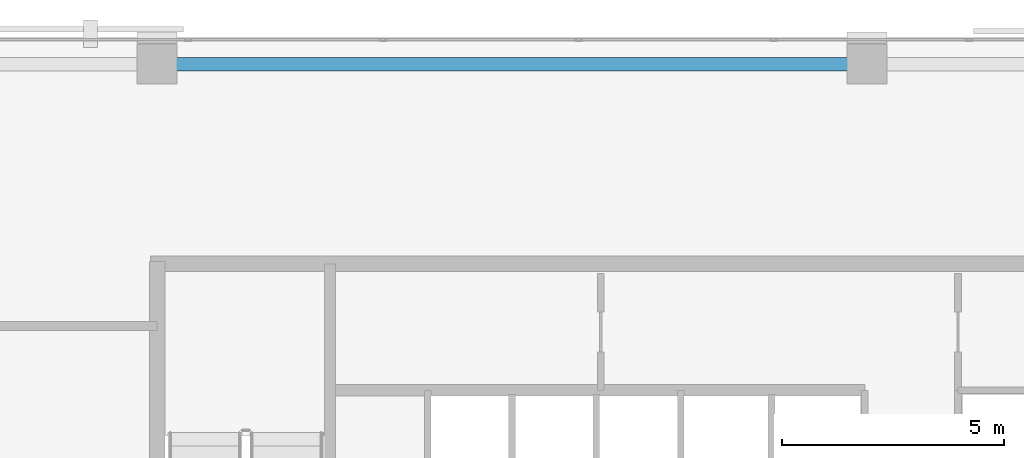
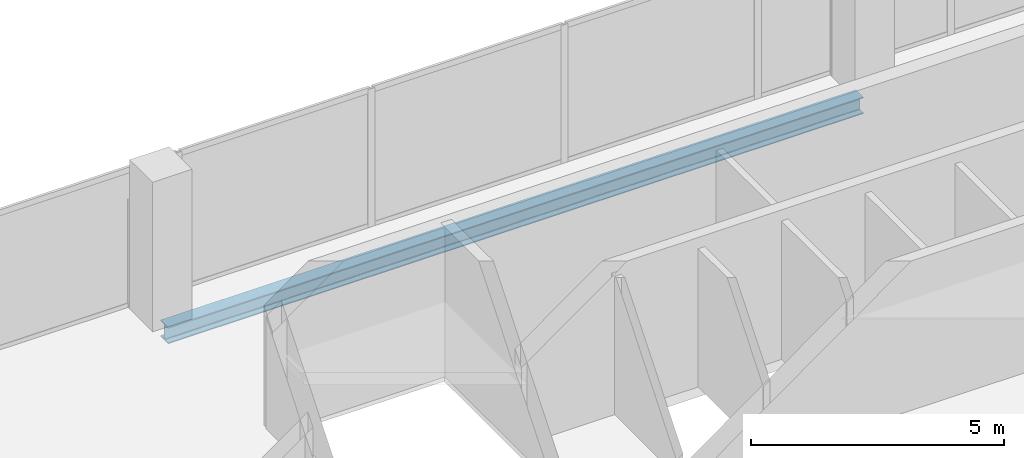
# One storey, part 21 of 35: 1 beam.
"""IFC4 building model written with IfcOpenShell, lengths in metres."""

from ifc_helpers import new_model, si_unit, direction, frame, origin, origin_2d, place, context, subcontext, project, spatial, i_section, extrude, material, material_profile, profile_set, type_object, element, save


model = new_model("IFC4")

# Units and contexts
model_context = context("Model", 3, precision=1e-05, world=origin(), true_north=direction((0.0, 1.0)))
body_context = subcontext(model_context, "Body", "Model", "MODEL_VIEW")
ifc_project = project(units=[si_unit("LENGTHUNIT", "METRE"), si_unit("AREAUNIT", "SQUARE_METRE"), si_unit("VOLUMEUNIT", "CUBIC_METRE"), si_unit("PLANEANGLEUNIT", "RADIAN"), si_unit("MASSUNIT", "GRAM", prefix="KILO")], contexts=[model_context])

# Site, building, storey
site_placement = place(None, origin())
site = spatial("IfcSite", under=ifc_project, at=site_placement, CompositionType="ELEMENT")
building_placement = place(site_placement, origin())
building = spatial("IfcBuilding", under=site, at=building_placement, Name="Catumbela Crestline Tower", CompositionType="ELEMENT")
storey_placement = place(building_placement, frame((0.0, 0.0, 90.0)))
storey = spatial("IfcBuildingStorey", under=building, at=storey_placement, Name="L22", CompositionType="ELEMENT", Elevation=90.0)

# Beam
ifc_material = material(Name="Structural steel S355J2", Category="steel")
ifc_material_profile = material_profile(ifc_material, i_section(OverallWidth=0.3, OverallDepth=0.4, WebThickness=0.0135, FlangeThickness=0.024, FilletRadius=0.027, at=origin_2d()), Name="HEB 400")
ifc_profile_set = profile_set([ifc_material_profile], Name="Structural steel S355J2")
beam_type = type_object("IfcBeamType", Name="BS-HEB400", PredefinedType="SPANDREL", material=ifc_profile_set)
beam_placement = place(storey_placement, frame((16.08, 47.4, -0.46), z_axis=(1.0, 0.0, 0.0), x_axis=(0.0, 1.0, 0.0)))
element("IfcBeam", 1, at=beam_placement, inside=storey, type_object=beam_type, Name="L22 Spandrel SP-L22-NF19", PredefinedType="SPANDREL", context=body_context, shape_type="SweptSolid", body=[
    extrude(i_section(OverallWidth=0.3, OverallDepth=0.4, WebThickness=0.0135, FlangeThickness=0.024, FilletRadius=0.027, at=origin_2d()), origin(), (0.0, 0.0, 1.0), 15.84),
])

save(model, "model.ifc")
